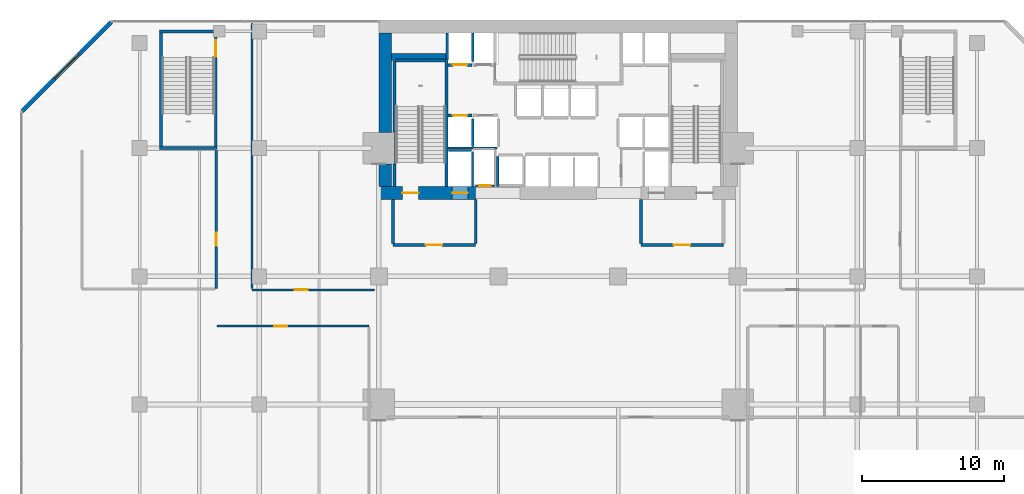
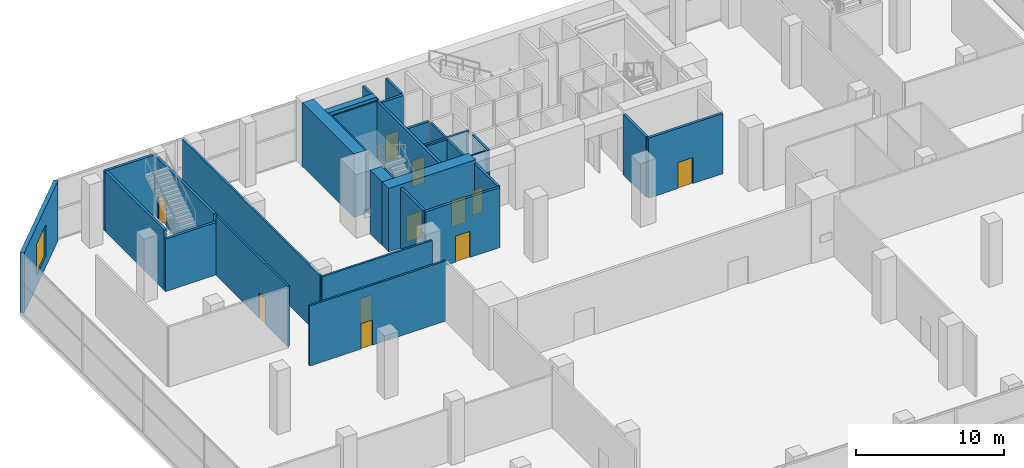
# One storey, part 35 of 40: 33 walls, 11 doors, 1 window, 12 openings.
"""IFC4 building model written with IfcOpenShell, lengths in metres."""

from ifc_helpers import new_model, si_unit, direction, frame, frame_2d, origin, place, context, subcontext, project, spatial, rectangle, extrude, material, layer, layer_set, type_object, element, fill, save


model = new_model("IFC4")

# Units and contexts
model_context = context("Model", 3, precision=1e-05, world=origin(), true_north=direction((0.0, 1.0)))
body_context = subcontext(model_context, "Body", "Model", "MODEL_VIEW")
ifc_project = project(units=[si_unit("LENGTHUNIT", "METRE"), si_unit("AREAUNIT", "SQUARE_METRE"), si_unit("VOLUMEUNIT", "CUBIC_METRE"), si_unit("PLANEANGLEUNIT", "RADIAN"), si_unit("MASSUNIT", "GRAM", prefix="KILO")], contexts=[model_context])

# Site, building, storey
site_placement = place(None, origin())
site = spatial("IfcSite", under=ifc_project, at=site_placement, CompositionType="ELEMENT")
building_placement = place(site_placement, origin())
building = spatial("IfcBuilding", under=site, at=building_placement, Name="Maruvema Waterfront Hotel and Observation Tower", CompositionType="ELEMENT")
storey_placement = place(building_placement, frame((0.0, 0.0, 5.60009765625)))
storey = spatial("IfcBuildingStorey", under=building, at=storey_placement, Name="L01", CompositionType="ELEMENT", Elevation=5.60009765625)

# Wall, opening, door
ifc_material_1 = material(Name="Twin-stud acoustic gypsum drywall", Category="gypsum")
ifc_layer_1 = layer(ifc_material_1, 0.14990234375, Name="Acoustic Corridor and Suite Demising Wall 150 mm")
ifc_layer_set_1 = layer_set([ifc_layer_1], Name="Twin-stud acoustic gypsum drywall")
wall_type_1 = type_object("IfcWallType", Name="Acoustic Corridor and Suite Demising Wall 150 mm", PredefinedType="PARTITIONING", material=ifc_layer_set_1)
wall_1_placement = place(storey_placement, frame((13.85009765625, 32.5, 0.0), z_axis=(0.0, 0.0, 1.0), x_axis=(1.0, 0.0, 0.0)))
wall_1 = element("IfcWall", 1, at=wall_1_placement, inside=storey, type_object=wall_type_1, Name="L01 L01 Boardroom North Wall 014", PredefinedType="PARTITIONING", context=body_context, shape_type="SweptSolid", body=[
    extrude(rectangle(XDim=10.64990234375, YDim=0.14990234375, at=frame_2d((5.324951171875, 0.0))), origin(), (0.0, 0.0, 1.0), 4.969970703125),
])
opening_1_placement = place(wall_1_placement, frame((4.0, 0.0, 0.0)))
opening_1 = element("IfcOpeningElement", 2, at=opening_1_placement, cuts=wall_1, Name="Opening DR-090", PredefinedType="OPENING", context=body_context, shape_type="SweptSolid", body=[
    extrude(rectangle(XDim=0.89990234375, YDim=2.10009765625, at=frame_2d((0.449951171875, 1.050048828125))), frame((0.0, 0.0849609375, 0.0), z_axis=(0.0, -1.0, 0.0), x_axis=(1.0, 0.0, 0.0)), (0.0, 0.0, 1.0), 0.169921875),
])
ifc_material_2 = material(Name="Solid-core lacquered timber leaf", Category="wood")
door_type_1 = type_object("IfcDoorType", Name="Accessible Toilet and Room Door 900x2100 mm", OperationType="NOTDEFINED", PredefinedType="DOOR", material=ifc_material_2)
door_1_placement = place(opening_1_placement, origin())
door_1 = element("IfcDoor", 3, at=door_1_placement, inside=storey, type_object=door_type_1, Name="L01 Boardroom Door", OperationType="SINGLE_SWING_RIGHT", OverallHeight=2.10009765625, OverallWidth=0.89990234375, PredefinedType="DOOR", context=body_context, shape_type="SweptSolid", body=[
    extrude(rectangle(XDim=0.89990234375, YDim=2.10009765625, at=frame_2d((0.449951171875, 1.050048828125))), frame((0.0, 0.02490234375, 0.0), z_axis=(0.0, -1.0, 0.0), x_axis=(1.0, 0.0, 0.0)), (0.0, 0.0, 1.0), 0.050048828125),
])
fill(opening_1, door_1)

wall_2_placement = place(storey_placement, frame((16.300048828125, 35.050048828125, 0.0), z_axis=(0.0, 0.0, 1.0), x_axis=(1.0, 0.0, 0.0)))
wall_2 = element("IfcWall", 4, at=wall_2_placement, inside=storey, type_object=wall_type_1, Name="L01 L01 Exec Office Wall 017", PredefinedType="PARTITIONING", context=body_context, shape_type="SweptSolid", body=[
    extrude(rectangle(XDim=8.599853515625, YDim=0.14990234375, at=frame_2d((4.2998046875, 0.0))), origin(), (0.0, 0.0, 1.0), 4.969970703125),
])
opening_2_placement = place(wall_2_placement, frame((3.0, 0.0, 0.0)))
opening_2 = element("IfcOpeningElement", 5, at=opening_2_placement, cuts=wall_2, Name="Opening DR-090", PredefinedType="OPENING", context=body_context, shape_type="SweptSolid", body=[
    extrude(rectangle(XDim=0.89990234375, YDim=2.10009765625, at=frame_2d((0.449951171875, 1.050048828125))), frame((0.0, 0.0849609375, 0.0), z_axis=(0.0, -1.0, 0.0), x_axis=(1.0, 0.0, 0.0)), (0.0, 0.0, 1.0), 0.169921875),
])
door_2_placement = place(opening_2_placement, frame((0.89990234375, 0.0, 0.0), z_axis=(0.0, 0.0, 1.0), x_axis=(-1.0, 0.0, 0.0)))
door_2 = element("IfcDoor", 6, at=door_2_placement, inside=storey, type_object=door_type_1, Name="L01 Executive Office Door", OperationType="SINGLE_SWING_LEFT", OverallHeight=2.10009765625, OverallWidth=0.89990234375, PredefinedType="DOOR", context=body_context, shape_type="SweptSolid", body=[
    extrude(rectangle(XDim=0.89990234375, YDim=2.10009765625, at=frame_2d((0.449951171875, 1.050048828125))), frame((0.0, 0.02490234375, 0.0), z_axis=(0.0, -1.0, 0.0), x_axis=(1.0, 0.0, 0.0)), (0.0, 0.0, 1.0), 0.050048828125),
])
fill(opening_2, door_2)

# Wall
wall_3_placement = place(storey_placement, frame((16.300048828125, 35.14990234375, 0.0), z_axis=(0.0, 0.0, 1.0), x_axis=(0.0, 1.0, 0.0)))
element("IfcWall", 7, at=wall_3_placement, inside=storey, type_object=wall_type_1, Name="L01 L01 Exec West Wall 018", PredefinedType="PARTITIONING", context=body_context, shape_type="SweptSolid", body=[
    extrude(rectangle(XDim=18.60009765625, YDim=0.14990234375, at=frame_2d((9.300048828125, 0.0))), origin(), (0.0, 0.0, 1.0), 4.969970703125),
])

# Wall, opening, door
wall_4_placement = place(storey_placement, frame((13.780029296875, 35.14990234375, 0.0), z_axis=(0.0, 0.0, 1.0), x_axis=(0.0, 1.0, 0.0)))
wall_4 = element("IfcWall", 8, at=wall_4_placement, inside=storey, type_object=wall_type_1, Name="L01 L01 Catering Store Wall 019", PredefinedType="PARTITIONING", context=body_context, shape_type="SweptSolid", body=[
    extrude(rectangle(XDim=9.7001953125, YDim=0.14990234375, at=frame_2d((4.85009765625, 0.0))), origin(), (0.0, 0.0, 1.0), 4.969970703125),
])
opening_3_placement = place(wall_4_placement, frame((3.0, 0.0, 0.0)))
opening_3 = element("IfcOpeningElement", 9, at=opening_3_placement, cuts=wall_4, Name="Opening DR-090", PredefinedType="OPENING", context=body_context, shape_type="SweptSolid", body=[
    extrude(rectangle(XDim=0.89990234375, YDim=2.10009765625, at=frame_2d((0.449951171875, 1.050048828125))), frame((0.0, 0.0849609375, 0.0), z_axis=(0.0, -1.0, 0.0), x_axis=(1.0, 0.0, 0.0)), (0.0, 0.0, 1.0), 0.169921875),
])
door_3_placement = place(opening_3_placement, origin())
door_3 = element("IfcDoor", 10, at=door_3_placement, inside=storey, type_object=door_type_1, Name="L01 Catering Store Door", OperationType="SINGLE_SWING_RIGHT", OverallHeight=2.10009765625, OverallWidth=0.89990234375, PredefinedType="DOOR", context=body_context, shape_type="SweptSolid", body=[
    extrude(rectangle(XDim=0.89990234375, YDim=2.10009765625, at=frame_2d((0.449951171875, 1.050048828125))), frame((0.0, 0.02490234375, 0.0), z_axis=(0.0, -1.0, 0.0), x_axis=(1.0, 0.0, 0.0)), (0.0, 0.0, 1.0), 0.050048828125),
])
fill(opening_3, door_3)

# Walls
ifc_material_3 = material(Name="Precast concrete C45/55", Category="concrete")
ifc_layer_2 = layer(ifc_material_3, 0.199951171875, Name="Core Shaft and Stairwell Enclosure Wall 200 mm")
ifc_layer_set_2 = layer_set([ifc_layer_2], Name="Precast concrete C45/55")
wall_type_2 = type_object("IfcWallType", Name="Core Shaft and Stairwell Enclosure Wall 200 mm", PredefinedType="SOLIDWALL", material=ifc_layer_set_2)
wall_5_placement = place(storey_placement, frame((29.949951171875, 42.300048828125, 0.0), z_axis=(0.0, 0.0, 1.0), x_axis=(0.0, 1.0, 0.0)))
element("IfcWall", 11, at=wall_5_placement, inside=storey, type_object=wall_type_2, Name="L01 Stairwell ST-01 East Shaft Wall", PredefinedType="SOLIDWALL", context=body_context, shape_type="SweptSolid", body=[
    extrude(rectangle(XDim=8.849853515625, YDim=0.199951171875, at=frame_2d((4.4248046875, 0.0))), origin(), (0.0, 0.0, 1.0), 4.969970703125),
])
wall_6_placement = place(storey_placement, frame((26.300048828125, 42.300048828125, 0.0), z_axis=(0.0, 0.0, 1.0), x_axis=(0.0, 1.0, 0.0)))
element("IfcWall", 12, at=wall_6_placement, inside=storey, type_object=wall_type_2, Name="L01 Stairwell ST-01 Shaft Lining Wall", PredefinedType="SOLIDWALL", context=body_context, shape_type="SweptSolid", body=[
    extrude(rectangle(XDim=1.579833984375, YDim=0.199951171875, at=frame_2d((0.7900390625, 0.0))), origin(), (0.0, 0.0, 1.0), 4.969970703125),
])
wall_7_placement = place(storey_placement, frame((26.300048828125, 46.1201171875, 0.0), z_axis=(0.0, 0.0, 1.0), x_axis=(0.0, 1.0, 0.0)))
element("IfcWall", 13, at=wall_7_placement, inside=storey, type_object=wall_type_2, Name="L01 Stairwell ST-01 Shaft Lining Wall", PredefinedType="SOLIDWALL", context=body_context, shape_type="SweptSolid", body=[
    extrude(rectangle(XDim=5.0, YDim=0.199951171875, at=frame_2d((2.5, 0.0))), origin(), (0.0, 0.0, 1.0), 4.969970703125),
])
wall_8_placement = place(storey_placement, frame((26.3798828125, 51.14990234375, 0.0), z_axis=(0.0, 0.0, 1.0), x_axis=(1.0, 0.0, 0.0)))
element("IfcWall", 14, at=wall_8_placement, inside=storey, type_object=wall_type_2, Name="L01 Stairwell ST-01 Shaft Lining Wall", PredefinedType="SOLIDWALL", context=body_context, shape_type="SweptSolid", body=[
    extrude(rectangle(XDim=3.5, YDim=0.199951171875, at=frame_2d((1.75, 0.0))), origin(), (0.0, 0.0, 1.0), 4.969970703125),
])
wall_9_placement = place(storey_placement, frame((9.800048828125, 45.0, 0.0), z_axis=(0.0, 0.0, 1.0), x_axis=(1.0, 0.0, 0.0)))
element("IfcWall", 15, at=wall_9_placement, inside=storey, type_object=wall_type_2, Name="L01 Stairwell ST-04 Shaft Wall", PredefinedType="SOLIDWALL", context=body_context, shape_type="SweptSolid", body=[
    extrude(rectangle(XDim=4.050048828125, YDim=0.199951171875, at=frame_2d((2.02490234375, 0.0))), origin(), (0.0, 0.0, 1.0), 4.3349609375),
])
wall_10_placement = place(storey_placement, frame((9.89990234375, 45.10009765625, 0.0), z_axis=(0.0, 0.0, 1.0), x_axis=(0.0, 1.0, 0.0)))
element("IfcWall", 16, at=wall_10_placement, inside=storey, type_object=wall_type_2, Name="L01 Stairwell ST-04 Shaft Wall", PredefinedType="SOLIDWALL", context=body_context, shape_type="SweptSolid", body=[
    extrude(rectangle(XDim=8.099853515625, YDim=0.199951171875, at=frame_2d((4.0498046875, 0.0))), origin(), (0.0, 0.0, 1.0), 4.969970703125),
])

# Wall, opening, door
wall_11_placement = place(storey_placement, frame((13.75, 45.10009765625, 0.0), z_axis=(0.0, 0.0, 1.0), x_axis=(0.0, 1.0, 0.0)))
wall_11 = element("IfcWall", 17, at=wall_11_placement, inside=storey, type_object=wall_type_2, Name="L01 Stairwell ST-04 Shaft Wall", PredefinedType="SOLIDWALL", context=body_context, shape_type="SweptSolid", body=[
    extrude(rectangle(XDim=8.099853515625, YDim=0.199951171875, at=frame_2d((4.0498046875, 0.0))), origin(), (0.0, 0.0, 1.0), 4.969970703125),
])
opening_4_placement = place(wall_11_placement, frame((6.320068359375, 0.0, 0.0)))
opening_4 = element("IfcOpeningElement", 18, at=opening_4_placement, cuts=wall_11, Name="Opening SD-01", PredefinedType="OPENING", context=body_context, shape_type="SweptSolid", body=[
    extrude(rectangle(XDim=1.14990234375, YDim=2.14990234375, at=frame_2d((0.574951171875, 1.074951171875))), frame((0.0, 0.10986328125, 0.0), z_axis=(0.0, -1.0, 0.0), x_axis=(1.0, 0.0, 0.0)), (0.0, 0.0, 1.0), 0.219970703125),
])
ifc_material_4 = material(Name="Fire-rated galvanised steel leaf", Category="steel")
door_type_2 = type_object("IfcDoorType", Name="Exit Stair Fire Door 1150x2150 mm", OperationType="NOTDEFINED", PredefinedType="DOOR", material=ifc_material_4)
door_4_placement = place(opening_4_placement, origin())
door_4 = element("IfcDoor", 19, at=door_4_placement, inside=storey, type_object=door_type_2, Name="L01 Exit Stair ST-04 Fire Door", OperationType="SINGLE_SWING_RIGHT", OverallHeight=2.14990234375, OverallWidth=1.14990234375, PredefinedType="DOOR", context=body_context, shape_type="SweptSolid", body=[
    extrude(rectangle(XDim=1.14990234375, YDim=2.14990234375, at=frame_2d((0.574951171875, 1.074951171875))), frame((0.0, 0.02490234375, 0.0), z_axis=(0.0, -1.0, 0.0), x_axis=(1.0, 0.0, 0.0)), (0.0, 0.0, 1.0), 0.050048828125),
])
fill(opening_4, door_4)

# Wall
wall_12_placement = place(storey_placement, frame((9.800048828125, 53.199951171875, 0.0), z_axis=(0.0, 0.0, 1.0), x_axis=(1.0, 0.0, 0.0)))
element("IfcWall", 20, at=wall_12_placement, inside=storey, type_object=wall_type_2, Name="L01 Stairwell ST-04 Shaft Wall", PredefinedType="SOLIDWALL", context=body_context, shape_type="SweptSolid", body=[
    extrude(rectangle(XDim=4.050048828125, YDim=0.199951171875, at=frame_2d((2.02490234375, 0.0))), origin(), (0.0, 0.0, 1.0), 4.969970703125),
])

# Wall, opening, door
wall_13_placement = place(storey_placement, frame((30.06005859375, 47.300048828125, 0.0), z_axis=(0.0, 0.0, 1.0), x_axis=(1.0, 0.0, 0.0)))
wall_13 = element("IfcWall", 21, at=wall_13_placement, inside=storey, type_object=wall_type_2, Name="L01 Lift LF-01 Hoistway Front Wall", PredefinedType="SOLIDWALL", context=body_context, shape_type="SweptSolid", body=[
    extrude(rectangle(XDim=1.679931640625, YDim=0.199951171875, at=frame_2d((0.83984375, 0.0))), origin(), (0.0, 0.0, 1.0), 4.969970703125),
])
opening_5_placement = place(wall_13_placement, frame((0.340087890625, 0.0, 0.0)))
opening_5 = element("IfcOpeningElement", 22, at=opening_5_placement, cuts=wall_13, Name="Opening LD-01", PredefinedType="OPENING", context=body_context, shape_type="SweptSolid", body=[
    extrude(rectangle(XDim=1.0, YDim=2.14990234375, at=frame_2d((0.5, 1.074951171875))), frame((0.0, 0.10986328125, 0.0), z_axis=(0.0, -1.0, 0.0), x_axis=(1.0, 0.0, 0.0)), (0.0, 0.0, 1.0), 0.219970703125),
])
ifc_material_5 = material(Name="Brushed stainless steel Grade 316", Category="steel")
door_type_3 = type_object("IfcDoorType", Name="Passenger Lift Sliding Landing Door 1000x2150 mm", OperationType="SLIDING_TO_LEFT", PredefinedType="DOOR", material=ifc_material_5)
door_5_placement = place(opening_5_placement, origin())
door_5 = element("IfcDoor", 23, at=door_5_placement, inside=storey, type_object=door_type_3, Name="L01 Lift LF-01 Sliding Landing Door", OperationType="SLIDING_TO_LEFT", OverallHeight=2.14990234375, OverallWidth=1.0, PredefinedType="DOOR", context=body_context, shape_type="SweptSolid", body=[
    extrude(rectangle(XDim=1.0, YDim=2.14990234375, at=frame_2d((0.5, 1.074951171875))), frame((0.0, 0.02490234375, 0.0), z_axis=(0.0, -1.0, 0.0), x_axis=(1.0, 0.0, 0.0)), (0.0, 0.0, 1.0), 0.050048828125),
])
fill(opening_5, door_5)

wall_14_placement = place(storey_placement, frame((30.06005859375, 50.85009765625, 0.0), z_axis=(0.0, 0.0, 1.0), x_axis=(1.0, 0.0, 0.0)))
wall_14 = element("IfcWall", 24, at=wall_14_placement, inside=storey, type_object=wall_type_2, Name="L01 Lift LF-03 Hoistway Front Wall", PredefinedType="SOLIDWALL", context=body_context, shape_type="SweptSolid", body=[
    extrude(rectangle(XDim=1.679931640625, YDim=0.199951171875, at=frame_2d((0.83984375, 0.0))), origin(), (0.0, 0.0, 1.0), 4.969970703125),
])
opening_6_placement = place(wall_14_placement, frame((0.340087890625, 0.0, 0.0)))
opening_6 = element("IfcOpeningElement", 25, at=opening_6_placement, cuts=wall_14, Name="Opening LD-01", PredefinedType="OPENING", context=body_context, shape_type="SweptSolid", body=[
    extrude(rectangle(XDim=1.0, YDim=2.14990234375, at=frame_2d((0.5, 1.074951171875))), frame((0.0, 0.10986328125, 0.0), z_axis=(0.0, -1.0, 0.0), x_axis=(1.0, 0.0, 0.0)), (0.0, 0.0, 1.0), 0.219970703125),
])
door_6_placement = place(opening_6_placement, frame((1.0, 0.0, 0.0), z_axis=(0.0, 0.0, 1.0), x_axis=(-1.0, 0.0, 0.0)))
door_6 = element("IfcDoor", 26, at=door_6_placement, inside=storey, type_object=door_type_3, Name="L01 Lift LF-03 Sliding Landing Door", OperationType="SLIDING_TO_LEFT", OverallHeight=2.14990234375, OverallWidth=1.0, PredefinedType="DOOR", context=body_context, shape_type="SweptSolid", body=[
    extrude(rectangle(XDim=1.0, YDim=2.14990234375, at=frame_2d((0.5, 1.074951171875))), frame((0.0, 0.02490234375, 0.0), z_axis=(0.0, -1.0, 0.0), x_axis=(1.0, 0.0, 0.0)), (0.0, 0.0, 1.0), 0.050048828125),
])
fill(opening_6, door_6)

# Wall
ifc_material_6 = material(Name="Concrete C70/85", Category="concrete")
ifc_layer_3 = layer(ifc_material_6, 0.5, Name="Core Shear Wall 500 mm")
ifc_layer_set_3 = layer_set([ifc_layer_3], Name="Concrete C70/85")
wall_type_3 = type_object("IfcWallType", Name="Core Shear Wall 500 mm", PredefinedType="SHEAR", material=ifc_layer_set_3)
wall_15_placement = place(storey_placement, frame((26.10009765625, 51.39990234375, 0.0), z_axis=(0.0, 0.0, 1.0), x_axis=(1.0, 0.0, 0.0)))
element("IfcWall", 27, at=wall_15_placement, inside=storey, type_object=wall_type_3, Name="L01 Internal Core Shear Wall NW 500 mm", PredefinedType="SHEAR", context=body_context, shape_type="SweptSolid", body=[
    extrude(rectangle(XDim=3.7998046875, YDim=0.5, at=frame_2d((1.89990234375, 0.0))), origin(), (0.0, 0.0, 1.0), 5.25),
])

# Wall, openings, doors
ifc_material_7 = material(Name="Concrete C80/95", Category="concrete")
ifc_layer_4 = layer(ifc_material_7, 0.89990234375, Name="Core Shear Wall 900 mm")
ifc_layer_set_4 = layer_set([ifc_layer_4], Name="Concrete C80/95")
wall_type_4 = type_object("IfcWallType", Name="Core Shear Wall 900 mm", PredefinedType="SHEAR", material=ifc_layer_set_4)
wall_16_placement = place(storey_placement, frame((25.199951171875, 41.85009765625, 0.0), z_axis=(0.0, 0.0, 1.0), x_axis=(1.0, 0.0, 0.0)))
wall_16 = element("IfcWall", 28, at=wall_16_placement, inside=storey, type_object=wall_type_4, Name="L01 South-West Core Shear Wall", PredefinedType="SHEAR", context=body_context, shape_type="SweptSolid", body=[
    extrude(rectangle(XDim=6.800048828125, YDim=0.89990234375, at=frame_2d((3.39990234375, 0.0))), origin(), (0.0, 0.0, 1.0), 5.25),
])
opening_7_placement = place(wall_16_placement, frame((1.64990234375, 0.0, 0.0)))
opening_7 = element("IfcOpeningElement", 29, at=opening_7_placement, cuts=wall_16, Name="Opening SD-01", PredefinedType="OPENING", context=body_context, shape_type="SweptSolid", body=[
    extrude(rectangle(XDim=1.14990234375, YDim=2.14990234375, at=frame_2d((0.574951171875, 1.074951171875))), frame((0.0, 0.4599609375, 0.0), z_axis=(0.0, -1.0, 0.0), x_axis=(1.0, 0.0, 0.0)), (0.0, 0.0, 1.0), 0.919921875),
])
opening_8_placement = place(wall_16_placement, frame((5.14990234375, 0.0, 0.0)))
opening_8 = element("IfcOpeningElement", 30, at=opening_8_placement, cuts=wall_16, Name="Opening LD-03", PredefinedType="OPENING", context=body_context, shape_type="SweptSolid", body=[
    extrude(rectangle(XDim=1.10009765625, YDim=2.199951171875, at=frame_2d((0.550048828125, 1.10009765625))), frame((0.0, 0.4599609375, 0.0), z_axis=(0.0, -1.0, 0.0), x_axis=(1.0, 0.0, 0.0)), (0.0, 0.0, 1.0), 0.919921875),
])
door_7_placement = place(opening_7_placement, origin())
door_7 = element("IfcDoor", 31, at=door_7_placement, inside=storey, type_object=door_type_2, Name="L01 Exit Stair ST-01 Fire Door", OperationType="SINGLE_SWING_LEFT", OverallHeight=2.14990234375, OverallWidth=1.14990234375, PredefinedType="DOOR", context=body_context, shape_type="SweptSolid", body=[
    extrude(rectangle(XDim=1.14990234375, YDim=2.14990234375, at=frame_2d((0.574951171875, 1.074951171875))), frame((0.0, 0.02490234375, 0.0), z_axis=(0.0, -1.0, 0.0), x_axis=(1.0, 0.0, 0.0)), (0.0, 0.0, 1.0), 0.050048828125),
])
fill(opening_7, door_7)
ifc_material_8 = material(Name="Brushed stainless steel Grade 316", Category="steel")
door_type_4 = type_object("IfcDoorType", Name="Firefighting Lift Sliding Landing Door 1100x2200 mm", OperationType="SLIDING_TO_LEFT", PredefinedType="DOOR", material=ifc_material_8)
door_8_placement = place(opening_8_placement, frame((1.10009765625, 0.0, 0.0), z_axis=(0.0, 0.0, 1.0), x_axis=(-1.0, 0.0, 0.0)))
door_8 = element("IfcDoor", 32, at=door_8_placement, inside=storey, type_object=door_type_4, Name="L01 Firefighting Lift FL-01 Landing Door", OperationType="SLIDING_TO_LEFT", OverallHeight=2.199951171875, OverallWidth=1.10009765625, PredefinedType="DOOR", context=body_context, shape_type="SweptSolid", body=[
    extrude(rectangle(XDim=1.10009765625, YDim=2.199951171875, at=frame_2d((0.550048828125, 1.10009765625))), frame((0.0, 0.02490234375, 0.0), z_axis=(0.0, -1.0, 0.0), x_axis=(1.0, 0.0, 0.0)), (0.0, 0.0, 1.0), 0.050048828125),
])
fill(opening_8, door_8)

# Walls
wall_17_placement = place(storey_placement, frame((25.64990234375, 42.300048828125, 0.0), z_axis=(0.0, 0.0, 1.0), x_axis=(0.0, 1.0, 0.0)))
element("IfcWall", 33, at=wall_17_placement, inside=storey, type_object=wall_type_4, Name="L01 West-South Core Shear Wall", PredefinedType="SHEAR", context=body_context, shape_type="SweptSolid", body=[
    extrude(rectangle(XDim=1.599853515625, YDim=0.89990234375, at=frame_2d((0.7998046875, 0.0))), origin(), (0.0, 0.0, 1.0), 5.25),
])
wall_18_placement = place(storey_placement, frame((25.64990234375, 46.10009765625, 0.0), z_axis=(0.0, 0.0, 1.0), x_axis=(0.0, 1.0, 0.0)))
element("IfcWall", 34, at=wall_18_placement, inside=storey, type_object=wall_type_4, Name="L01 West-North Core Shear Wall", PredefinedType="SHEAR", context=body_context, shape_type="SweptSolid", body=[
    extrude(rectangle(XDim=7.0, YDim=0.89990234375, at=frame_2d((3.5, 0.0))), origin(), (0.0, 0.0, 1.0), 5.25),
])

# Wall, opening, door
ifc_material_9 = material(Name="Moisture-resistant cement-board drywall", Category="gypsum")
ifc_layer_5 = layer(ifc_material_9, 0.10009765625, Name="En-Suite Moisture-Resistant Partition 100 mm")
ifc_layer_set_5 = layer_set([ifc_layer_5], Name="Moisture-resistant cement-board drywall")
wall_type_5 = type_object("IfcWallType", Name="En-Suite Moisture-Resistant Partition 100 mm", PredefinedType="PARTITIONING", material=ifc_layer_set_5)
wall_19_placement = place(storey_placement, frame((32.02001953125, 42.360107421875, 0.0), z_axis=(0.0, 0.0, 1.0), x_axis=(1.0, 0.0, 0.0)))
wall_19 = element("IfcWall", 35, at=wall_19_placement, inside=storey, type_object=wall_type_5, Name="L01 Telecom Riser South Wall 007", PredefinedType="PARTITIONING", context=body_context, shape_type="SweptSolid", body=[
    extrude(rectangle(XDim=1.320068359375, YDim=0.10009765625, at=frame_2d((0.66015625, 0.0))), origin(), (0.0, 0.0, 1.0), 4.969970703125),
])
opening_9_placement = place(wall_19_placement, frame((0.239990234375, 0.0, 0.0)))
opening_9 = element("IfcOpeningElement", 36, at=opening_9_placement, cuts=wall_19, Name="Opening DR-080", PredefinedType="OPENING", context=body_context, shape_type="SweptSolid", body=[
    extrude(rectangle(XDim=0.800048828125, YDim=2.050048828125, at=frame_2d((0.39990234375, 1.02490234375))), frame((0.0, 0.06005859375, 0.0), z_axis=(0.0, -1.0, 0.0), x_axis=(1.0, 0.0, 0.0)), (0.0, 0.0, 1.0), 0.1201171875),
])
ifc_material_10 = material(Name="Powder-coated steel access leaf", Category="steel")
door_type_5 = type_object("IfcDoorType", Name="Riser and Service Cupboard Door 800x2050 mm", OperationType="NOTDEFINED", PredefinedType="DOOR", material=ifc_material_10)
door_9_placement = place(opening_9_placement, frame((0.800048828125, 0.0, 0.0), z_axis=(0.0, 0.0, 1.0), x_axis=(-1.0, 0.0, 0.0)))
door_9 = element("IfcDoor", 37, at=door_9_placement, inside=storey, type_object=door_type_5, Name="L01 Telecom Riser Door", OperationType="SINGLE_SWING_RIGHT", OverallHeight=2.050048828125, OverallWidth=0.800048828125, PredefinedType="DOOR", context=body_context, shape_type="SweptSolid", body=[
    extrude(rectangle(XDim=0.800048828125, YDim=2.050048828125, at=frame_2d((0.39990234375, 1.02490234375))), frame((0.0, 0.02490234375, 0.0), z_axis=(0.0, -1.0, 0.0), x_axis=(1.0, 0.0, 0.0)), (0.0, 0.0, 1.0), 0.050048828125),
])
fill(opening_9, door_9)

ifc_material_11 = material(Name="Autoclaved cellular concrete blockwork", Category="masonry")
ifc_layer_6 = layer(ifc_material_11, 0.199951171875, Name="Fire Compartment Masonry Wall 200 mm")
ifc_layer_set_6 = layer_set([ifc_layer_6], Name="Autoclaved cellular concrete blockwork")
wall_type_6 = type_object("IfcWallType", Name="Fire Compartment Masonry Wall 200 mm", PredefinedType="PARTITIONING", material=ifc_layer_set_6)
wall_20_placement = place(storey_placement, frame((26.199951171875, 38.199951171875, 0.0), z_axis=(0.0, 0.0, 1.0), x_axis=(1.0, 0.0, 0.0)))
wall_20 = element("IfcWall", 38, at=wall_20_placement, inside=storey, type_object=wall_type_6, Name="L01 FFL West South Wall 001", PredefinedType="PARTITIONING", context=body_context, shape_type="SweptSolid", body=[
    extrude(rectangle(XDim=5.800048828125, YDim=0.199951171875, at=frame_2d((2.89990234375, 0.0))), origin(), (0.0, 0.0, 1.0), 4.969970703125),
])
opening_10_placement = place(wall_20_placement, frame((2.300048828125, 0.0, 0.0)))
opening_10 = element("IfcOpeningElement", 39, at=opening_10_placement, cuts=wall_20, Name="Opening FD-115", PredefinedType="OPENING", context=body_context, shape_type="SweptSolid", body=[
    extrude(rectangle(XDim=1.14990234375, YDim=2.14990234375, at=frame_2d((0.574951171875, 1.074951171875))), frame((0.0, 0.10986328125, 0.0), z_axis=(0.0, -1.0, 0.0), x_axis=(1.0, 0.0, 0.0)), (0.0, 0.0, 1.0), 0.219970703125),
])
ifc_material_12 = material(Name="Fire-rated galvanised steel and vision glass", Category="steel")
door_type_6 = type_object("IfcDoorType", Name="Firefighting Lobby Fire Door 1150x2150 mm", OperationType="NOTDEFINED", PredefinedType="DOOR", material=ifc_material_12)
door_10_placement = place(opening_10_placement, frame((1.14990234375, 0.0, 0.0), z_axis=(0.0, 0.0, 1.0), x_axis=(-1.0, 0.0, 0.0)))
door_10 = element("IfcDoor", 40, at=door_10_placement, inside=storey, type_object=door_type_6, Name="L01 Firefighting Lobby West Door", OperationType="SINGLE_SWING_RIGHT", OverallHeight=2.14990234375, OverallWidth=1.14990234375, PredefinedType="DOOR", context=body_context, shape_type="SweptSolid", body=[
    extrude(rectangle(XDim=1.14990234375, YDim=2.14990234375, at=frame_2d((0.574951171875, 1.074951171875))), frame((0.0, 0.02490234375, 0.0), z_axis=(0.0, -1.0, 0.0), x_axis=(1.0, 0.0, 0.0)), (0.0, 0.0, 1.0), 0.050048828125),
])
fill(opening_10, door_10)

# Walls
for number, where, z_axis, x_axis, name in (
    (41, (26.199951171875, 38.31005859375, 0.0), (0.0, 0.0, 1.0), (0.0, 1.0, 0.0), "L01 FFL West West Wall 002"),
    (42, (32.0, 38.31005859375, 0.0), (0.0, 0.0, 1.0), (0.0, 1.0, 0.0), "L01 FFL West East Wall 003"),
):
    element("IfcWall", number, at=place(storey_placement, frame(where, z_axis=z_axis, x_axis=x_axis)), inside=storey, type_object=wall_type_6, Name=name, PredefinedType="PARTITIONING", context=body_context, shape_type="SweptSolid", body=[
        extrude(rectangle(XDim=3.06982421875, YDim=0.199951171875, at=frame_2d((1.534912109375, 0.0))), origin(), (0.0, 0.0, 1.0), 4.969970703125),
    ])

# Wall, opening, door
wall_21_placement = place(storey_placement, frame((43.60009765625, 38.199951171875, 0.0), z_axis=(0.0, 0.0, 1.0), x_axis=(1.0, 0.0, 0.0)))
wall_21 = element("IfcWall", 43, at=wall_21_placement, inside=storey, type_object=wall_type_6, Name="L01 FFL East South Wall 004", PredefinedType="PARTITIONING", context=body_context, shape_type="SweptSolid", body=[
    extrude(rectangle(XDim=5.7998046875, YDim=0.199951171875, at=frame_2d((2.89990234375, 0.0))), origin(), (0.0, 0.0, 1.0), 4.969970703125),
])
opening_11_placement = place(wall_21_placement, frame((2.300048828125, 0.0, 0.0)))
opening_11 = element("IfcOpeningElement", 44, at=opening_11_placement, cuts=wall_21, Name="Opening FD-115", PredefinedType="OPENING", context=body_context, shape_type="SweptSolid", body=[
    extrude(rectangle(XDim=1.14990234375, YDim=2.14990234375, at=frame_2d((0.574951171875, 1.074951171875))), frame((0.0, 0.10986328125, 0.0), z_axis=(0.0, -1.0, 0.0), x_axis=(1.0, 0.0, 0.0)), (0.0, 0.0, 1.0), 0.219970703125),
])
door_11_placement = place(opening_11_placement, frame((1.14990234375, 0.0, 0.0), z_axis=(0.0, 0.0, 1.0), x_axis=(-1.0, 0.0, 0.0)))
door_11 = element("IfcDoor", 45, at=door_11_placement, inside=storey, type_object=door_type_6, Name="L01 Firefighting Lobby East Door", OperationType="SINGLE_SWING_LEFT", OverallHeight=2.14990234375, OverallWidth=1.14990234375, PredefinedType="DOOR", context=body_context, shape_type="SweptSolid", body=[
    extrude(rectangle(XDim=1.14990234375, YDim=2.14990234375, at=frame_2d((0.574951171875, 1.074951171875))), frame((0.0, 0.02490234375, 0.0), z_axis=(0.0, -1.0, 0.0), x_axis=(1.0, 0.0, 0.0)), (0.0, 0.0, 1.0), 0.050048828125),
])
fill(opening_11, door_11)

# Walls
wall_22_placement = place(storey_placement, frame((43.60009765625, 38.31005859375, 0.0), z_axis=(0.0, 0.0, 1.0), x_axis=(0.0, 1.0, 0.0)))
element("IfcWall", 46, at=wall_22_placement, inside=storey, type_object=wall_type_6, Name="L01 FFL East West Wall 005", PredefinedType="PARTITIONING", context=body_context, shape_type="SweptSolid", body=[
    extrude(rectangle(XDim=3.06982421875, YDim=0.199951171875, at=frame_2d((1.534912109375, 0.0))), origin(), (0.0, 0.0, 1.0), 4.969970703125),
])
ifc_material_13 = material(Name="Precast concrete C45/55", Category="concrete")
ifc_layer_7 = layer(ifc_material_13, 0.159912109375, Name="Lift Hoistway Divider Wall 160 mm")
ifc_layer_set_7 = layer_set([ifc_layer_7], Name="Precast concrete C45/55")
wall_type_7 = type_object("IfcWallType", Name="Lift Hoistway Divider Wall 160 mm", PredefinedType="SOLIDWALL", material=ifc_layer_set_7)
wall_23_placement = place(storey_placement, frame((30.10009765625, 44.830078125, 0.0), z_axis=(0.0, 0.0, 1.0), x_axis=(1.0, 0.0, 0.0)))
element("IfcWall", 47, at=wall_23_placement, inside=storey, type_object=wall_type_7, Name="L01 Lift FL-01 Rear Hoistway Wall", PredefinedType="SOLIDWALL", context=body_context, shape_type="SweptSolid", body=[
    extrude(rectangle(XDim=1.599853515625, YDim=0.159912109375, at=frame_2d((0.7998046875, 0.0))), origin(), (0.0, 0.0, 1.0), 4.969970703125),
])
wall_24_placement = place(storey_placement, frame((31.780029296875, 42.300048828125, 0.0), z_axis=(0.0, 0.0, 1.0), x_axis=(0.0, 1.0, 0.0)))
element("IfcWall", 48, at=wall_24_placement, inside=storey, type_object=wall_type_7, Name="L01 Lift FL-01 Inner Hoistway Wall", PredefinedType="SOLIDWALL", context=body_context, shape_type="SweptSolid", body=[
    extrude(rectangle(XDim=2.43994140625, YDim=0.159912109375, at=frame_2d((1.219970703125, 0.0))), origin(), (0.0, 0.0, 1.0), 4.969970703125),
])
wall_25_placement = place(storey_placement, frame((31.800048828125, 45.10009765625, 0.0), z_axis=(0.0, 0.0, 1.0), x_axis=(0.0, 1.0, 0.0)))
element("IfcWall", 49, at=wall_25_placement, inside=storey, type_object=wall_type_7, Name="L01 Hoistway Divider Wall", PredefinedType="SOLIDWALL", context=body_context, shape_type="SweptSolid", body=[
    extrude(rectangle(XDim=1.949951171875, YDim=0.159912109375, at=frame_2d((0.97509765625, 0.0))), origin(), (0.0, 0.0, 1.0), 4.969970703125),
])
wall_26_placement = place(storey_placement, frame((30.050048828125, 45.010009765625, 0.0), z_axis=(0.0, 0.0, 1.0), x_axis=(1.0, 0.0, 0.0)))
element("IfcWall", 50, at=wall_26_placement, inside=storey, type_object=wall_type_7, Name="L01 Hoistway Divider Wall", PredefinedType="SOLIDWALL", context=body_context, shape_type="SweptSolid", body=[
    extrude(rectangle(XDim=3.449951171875, YDim=0.159912109375, at=frame_2d((1.72509765625, 0.0))), origin(), (0.0, 0.0, 1.0), 4.969970703125),
])
wall_27_placement = place(storey_placement, frame((30.010009765625, 51.179931640625, 0.0), z_axis=(0.0, 0.0, 1.0), x_axis=(0.0, 1.0, 0.0)))
element("IfcWall", 51, at=wall_27_placement, inside=storey, type_object=wall_type_7, Name="L01 Hoistway Divider Wall", PredefinedType="SOLIDWALL", context=body_context, shape_type="SweptSolid", body=[
    extrude(rectangle(XDim=1.920166015625, YDim=0.159912109375, at=frame_2d((0.9599609375, 0.0))), origin(), (0.0, 0.0, 1.0), 4.969970703125),
])
wall_28_placement = place(storey_placement, frame((31.800048828125, 51.10009765625, 0.0), z_axis=(0.0, 0.0, 1.0), x_axis=(0.0, 1.0, 0.0)))
element("IfcWall", 52, at=wall_28_placement, inside=storey, type_object=wall_type_7, Name="L01 Hoistway Divider Wall", PredefinedType="SOLIDWALL", context=body_context, shape_type="SweptSolid", body=[
    extrude(rectangle(XDim=2.0, YDim=0.159912109375, at=frame_2d((1.0, 0.0))), origin(), (0.0, 0.0, 1.0), 4.969970703125),
])
wall_29_placement = place(storey_placement, frame((33.5400390625, 42.300048828125, 0.0), z_axis=(0.0, 0.0, 1.0), x_axis=(0.0, 1.0, 0.0)))
element("IfcWall", 53, at=wall_29_placement, inside=storey, type_object=wall_type_7, Name="L01 Hoistway Divider Wall", PredefinedType="SOLIDWALL", context=body_context, shape_type="SweptSolid", body=[
    extrude(rectangle(XDim=2.099853515625, YDim=0.159912109375, at=frame_2d((1.0498046875, 0.0))), origin(), (0.0, 0.0, 1.0), 4.969970703125),
])

# Wall, opening, window
ifc_material_14 = material(Name="Precast concrete C45/55 with honed Pernambuco granite facing", Category="masonry")
ifc_layer_8 = layer(ifc_material_14, 0.300048828125, Name="Podium Waterfront Granite Colonnade Wall 300 mm")
ifc_layer_set_8 = layer_set([ifc_layer_8], Name="Precast concrete C45/55 with honed Pernambuco granite facing")
wall_type_8 = type_object("IfcWallType", Name="Podium Waterfront Granite Colonnade Wall 300 mm", PredefinedType="SOLIDWALL", material=ifc_layer_set_8)
wall_30_placement = place(storey_placement, frame((6.39990234375, 53.85009765625, 0.0), z_axis=(0.0, 0.0, 1.0), x_axis=(-0.707106781187, -0.707106781187, 0.0)))
wall_30 = element("IfcWall", 54, at=wall_30_placement, inside=storey, type_object=wall_type_8, Name="L01 Podium Chamfer Granite Pier Wall NW", PredefinedType="SOLIDWALL", context=body_context, shape_type="SweptSolid", body=[
    extrude(rectangle(XDim=8.8388671875, YDim=0.300048828125, at=frame_2d((4.41943359375, 0.0))), origin(), (0.0, 0.0, 1.0), 4.969970703125),
])
opening_12_placement = place(wall_30_placement, frame((3.199951171875, 0.0, 0.89990234375)))
opening_12 = element("IfcOpeningElement", 55, at=opening_12_placement, cuts=wall_30, Name="Opening WN-04", PredefinedType="OPENING", context=body_context, shape_type="SweptSolid", body=[
    extrude(rectangle(XDim=2.39990234375, YDim=2.60009765625, at=frame_2d((1.199951171875, 1.300048828125))), frame((0.0, 0.16015625, 0.0), z_axis=(0.0, -1.0, 0.0), x_axis=(1.0, 0.0, 0.0)), (0.0, 0.0, 1.0), 0.320068359375),
])
ifc_material_15 = material(Name="Anodised bronze aluminium frame with laminated low-E glass", Category="aluminium")
window_type = type_object("IfcWindowType", Name="Podium Waterfront Punched Window 2400x2600 mm", PartitioningType="SINGLE_PANEL", PredefinedType="WINDOW", material=ifc_material_15)
window_placement = place(opening_12_placement, origin())
window = element("IfcWindow", 56, at=window_placement, inside=storey, type_object=window_type, Name="L01 Podium Chamfer Feature Window NW", OverallHeight=2.60009765625, OverallWidth=2.39990234375, PartitioningType="SINGLE_PANEL", PredefinedType="WINDOW", context=body_context, shape_type="SweptSolid", body=[
    extrude(rectangle(XDim=2.39990234375, YDim=2.60009765625, at=frame_2d((1.199951171875, 1.300048828125))), frame((0.0, 0.030029296875, 0.0), z_axis=(0.0, -1.0, 0.0), x_axis=(1.0, 0.0, 0.0)), (0.0, 0.0, 1.0), 0.06005859375),
])
fill(opening_12, window)

# Wall
ifc_material_16 = material(Name="Precast concrete C45/55", Category="concrete")
ifc_layer_9 = layer(ifc_material_16, 0.10009765625, Name="Stairwell Stringer Cheek Wall 100 mm")
ifc_layer_set_9 = layer_set([ifc_layer_9], Name="Precast concrete C45/55")
wall_type_9 = type_object("IfcWallType", Name="Stairwell Stringer Cheek Wall 100 mm", PredefinedType="SOLIDWALL", material=ifc_layer_set_9)
wall_31_placement = place(storey_placement, frame((26.35205078125, 43.89990234375, 0.0), z_axis=(0.0, 0.0, 1.0), x_axis=(0.0, 1.0, 0.0)))
element("IfcWall", 57, at=wall_31_placement, inside=storey, type_object=wall_type_9, Name="L01 Stairwell ST-01 Mega-Column Cheek Wall", PredefinedType="SOLIDWALL", context=body_context, shape_type="SweptSolid", body=[
    extrude(rectangle(XDim=2.2001953125, YDim=0.10009765625, at=frame_2d((1.10009765625, 0.0))), origin(), (0.0, 0.0, 1.0), 4.969970703125),
])

save(model, "model.ifc")
